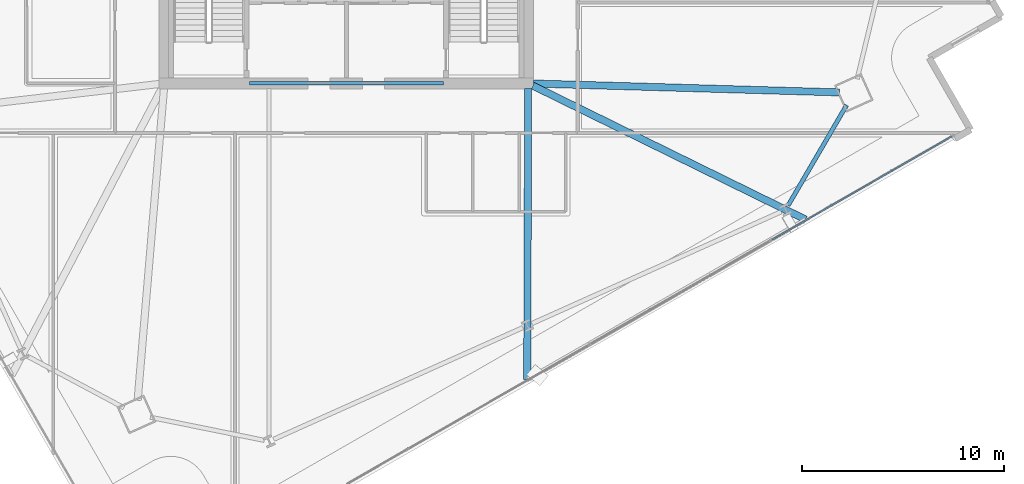
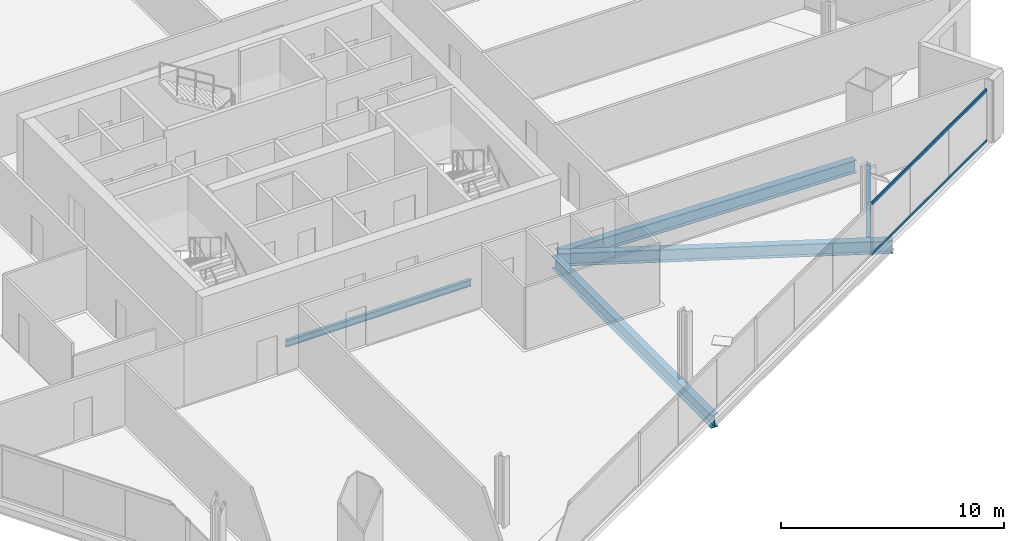
# One storey, part 8 of 33: 5 beams, 2 members, 1 element without a shape of its own.
"""IFC4 building model written with IfcOpenShell, lengths in metres."""

from ifc_helpers import new_model, si_unit, direction, frame, origin, origin_2d, place, context, subcontext, project, spatial, hollow_rectangle, i_section, extrude, material, material_profile, profile_set, type_object, element, aggregate, save


model = new_model("IFC4")

# Units and contexts
model_context = context("Model", 3, precision=1e-05, world=origin(), true_north=direction((0.0, 1.0)))
body_context = subcontext(model_context, "Body", "Model", "MODEL_VIEW")
ifc_project = project(units=[si_unit("LENGTHUNIT", "METRE"), si_unit("AREAUNIT", "SQUARE_METRE"), si_unit("VOLUMEUNIT", "CUBIC_METRE"), si_unit("PLANEANGLEUNIT", "RADIAN"), si_unit("MASSUNIT", "GRAM", prefix="KILO")], contexts=[model_context])

# Site, building, storey
site_placement = place(None, origin())
site = spatial("IfcSite", under=ifc_project, at=site_placement, CompositionType="ELEMENT")
building_placement = place(site_placement, origin())
building = spatial("IfcBuilding", under=site, at=building_placement, Name="Haldenkirk Collegiate Tower", CompositionType="ELEMENT")
storey_placement = place(building_placement, frame((0.0, 0.0, 127.949951171875)))
storey = spatial("IfcBuildingStorey", under=building, at=storey_placement, Name="L31", CompositionType="ELEMENT", Elevation=127.949951171875)

# Beams
ifc_material_1 = material(Name="Steel ASTM A992 Grade 50", Category="steel")
ifc_material_profile_1 = material_profile(ifc_material_1, i_section(OverallWidth=0.35498046875, OverallDepth=0.696044921875, WebThickness=0.015380859375, FlangeThickness=0.02490234375, at=origin_2d()), Name="W27X146")
ifc_profile_set_1 = profile_set([ifc_material_profile_1], Name="Steel ASTM A992 Grade 50")
beam_type_1 = type_object("IfcBeamType", Name="BM-GIRDER-W27X146", PredefinedType="BEAM", material=ifc_profile_set_1)
beam_1_placement = place(storey_placement, frame((60.4072265625, 17.55322265625, -0.64794921875), z_axis=(-0.999579697841, 0.028990130448, 0.0), x_axis=(-0.028990130448, -0.999579697841, 0.0)))
element("IfcBeam", 1, at=beam_1_placement, inside=storey, type_object=beam_type_1, Name="L31 primary floor girder 02", PredefinedType="BEAM", context=body_context, shape_type="SweptSolid", body=[
    extrude(i_section(OverallWidth=0.35498046875, OverallDepth=0.696044921875, WebThickness=0.015380859375, FlangeThickness=0.02490234375, at=origin_2d()), origin(), (0.0, 0.0, 1.0), 15.15869140625),
])
beam_2_placement = place(storey_placement, frame((44.950927734375, 3.341064453125, -0.64794921875), z_axis=(0.003339021031, 0.999994425454, 0.0), x_axis=(-0.999994425454, 0.003339021031, 0.0)))
element("IfcBeam", 2, at=beam_2_placement, inside=storey, type_object=beam_type_1, Name="L31 primary floor girder 06", PredefinedType="BEAM", context=body_context, shape_type="SweptSolid", body=[
    extrude(i_section(OverallWidth=0.35498046875, OverallDepth=0.696044921875, WebThickness=0.015380859375, FlangeThickness=0.02490234375, at=origin_2d()), origin(), (0.0, 0.0, 1.0), 14.404052734375),
])
beam_3_placement = place(storey_placement, frame((58.725341796875, 11.26171875, -0.64794921875), z_axis=(-0.897654412977, 0.440700073591, 0.0), x_axis=(-0.440700073591, -0.897654412977, 0.0)))
element("IfcBeam", 3, at=beam_3_placement, inside=storey, type_object=beam_type_1, Name="L31 primary floor girder 07", PredefinedType="BEAM", context=body_context, shape_type="SweptSolid", body=[
    extrude(i_section(OverallWidth=0.35498046875, OverallDepth=0.696044921875, WebThickness=0.015380859375, FlangeThickness=0.02490234375, at=origin_2d()), origin(), (0.0, 0.0, 1.0), 15.03515625),
])
ifc_material_profile_2 = material_profile(ifc_material_1, i_section(OverallWidth=0.1708984375, OverallDepth=0.35595703125, WebThickness=0.007080078125, FlangeThickness=0.01171875, at=origin_2d()), Name="W14X34")
ifc_profile_set_2 = profile_set([ifc_material_profile_2], Name="Steel ASTM A992 Grade 50")
beam_type_2 = type_object("IfcBeamType", Name="BM-LINTEL-W14X34", PredefinedType="LINTEL", material=ifc_profile_set_2)
beam_4_placement = place(storey_placement, frame((31.199951171875, 18.0, -0.47802734375), z_axis=(1.0, 0.0, 0.0), x_axis=(0.0, 1.0, 0.0)))
element("IfcBeam", 4, at=beam_4_placement, inside=storey, type_object=beam_type_2, Name="L31 south core coupling lintel", PredefinedType="LINTEL", context=body_context, shape_type="SweptSolid", body=[
    extrude(i_section(OverallWidth=0.1708984375, OverallDepth=0.35595703125, WebThickness=0.007080078125, FlangeThickness=0.01171875, at=origin_2d()), origin(), (0.0, 0.0, 1.0), 9.60009765625),
])
ifc_material_profile_3 = material_profile(ifc_material_1, i_section(OverallWidth=0.2119140625, OverallDepth=0.5439453125, WebThickness=0.01318359375, FlangeThickness=0.021240234375, at=origin_2d()), Name="W21X83")
ifc_profile_set_3 = profile_set([ifc_material_profile_3], Name="Steel ASTM A992 Grade 50")
beam_type_3 = type_object("IfcBeamType", Name="BM-SPANDREL-W21X83", PredefinedType="SPANDREL", material=ifc_profile_set_3)
beam_5_placement = place(storey_placement, frame((57.86181640625, 11.958251953125, -0.572021484375), z_axis=(0.503667660107, 0.863897498643, 0.0), x_axis=(-0.863897498643, 0.503667660107, 0.0)))
element("IfcBeam", 5, at=beam_5_placement, inside=storey, type_object=beam_type_3, Name="L31 perimeter spandrel beam 04", PredefinedType="SPANDREL", context=body_context, shape_type="SweptSolid", body=[
    extrude(i_section(OverallWidth=0.2119140625, OverallDepth=0.5439453125, WebThickness=0.01318359375, FlangeThickness=0.021240234375, at=origin_2d()), origin(), (0.0, 0.0, 1.0), 5.747802734375),
])

# Curtain wall, members
ifc_material_2 = material(Name="Anodised architectural bronze aluminium", Category="aluminium")
curtain_wall_type = type_object("IfcCurtainWallType", Name="CW-SYS2-CONCAVE", PredefinedType="USERDEFINED", material=ifc_material_2)
curtain_wall_placement = place(storey_placement, origin())
curtain_wall = element("IfcCurtainWall", 6, at=curtain_wall_placement, inside=storey, type_object=curtain_wall_type, Name="L31 South concave recessed bronze-anodised curtain wall", ObjectType="UNITISED CURTAIN WALL", PredefinedType="USERDEFINED")
ifc_material_profile_4 = material_profile(ifc_material_2, hollow_rectangle(XDim=0.074951171875, YDim=0.159912109375, WallThickness=0.0048828125, at=origin_2d()), Name="CW-TRN-02")
ifc_profile_set_4 = profile_set([ifc_material_profile_4], Name="Anodised architectural bronze aluminium")
member_type = type_object("IfcMemberType", Name="CW-TRN-02", PredefinedType="USERDEFINED", material=ifc_profile_set_4)
member_1_placement = place(storey_placement, frame((65.958984375, 15.375, 0.03759765625), z_axis=(-0.866896022691, -0.49848900273, 0.0), x_axis=(0.49848900273, -0.866896022691, 0.0)))
member_1 = element("IfcMember", 7, at=member_1_placement, type_object=member_type, Name="CW-02 transom 1.1", ObjectType="TRANSOM", PredefinedType="USERDEFINED", context=body_context, shape_type="SweptSolid", body=[
    extrude(hollow_rectangle(XDim=0.074951171875, YDim=0.159912109375, WallThickness=0.0048828125, at=origin_2d()), origin(), (0.0, 0.0, 1.0), 10.262451171875),
])
member_2_placement = place(storey_placement, frame((65.958984375, 15.375, 2.8134765625), z_axis=(-0.866896022691, -0.49848900273, 0.0), x_axis=(0.49848900273, -0.866896022691, 0.0)))
member_2 = element("IfcMember", 8, at=member_2_placement, type_object=member_type, Name="CW-02 transom 1.2", ObjectType="TRANSOM", PredefinedType="USERDEFINED", context=body_context, shape_type="SweptSolid", body=[
    extrude(hollow_rectangle(XDim=0.074951171875, YDim=0.159912109375, WallThickness=0.0048828125, at=origin_2d()), origin(), (0.0, 0.0, 1.0), 10.262451171875),
])
aggregate(curtain_wall, [member_1, member_2])

save(model, "model.ifc")
